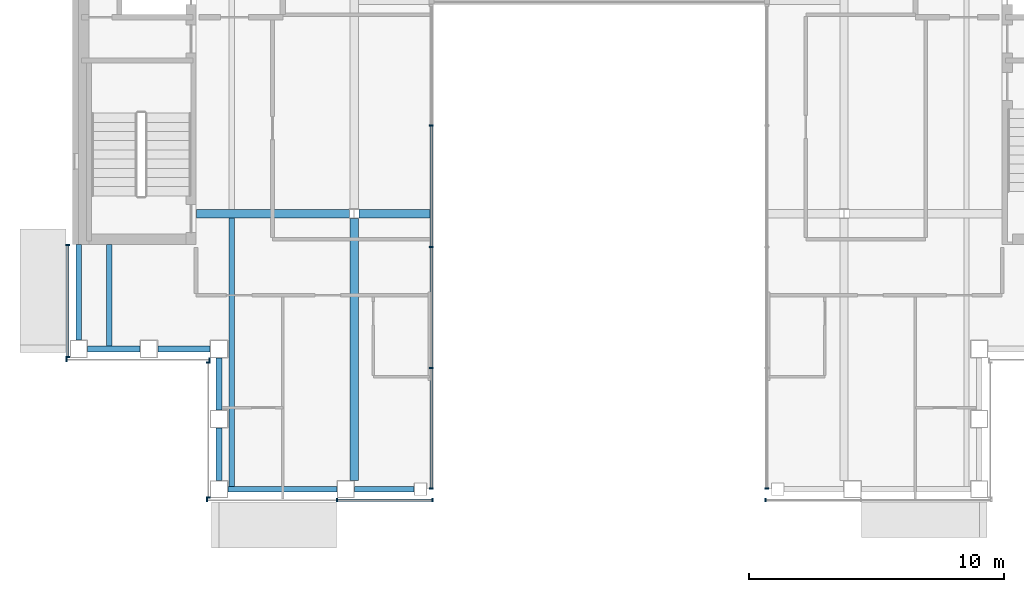
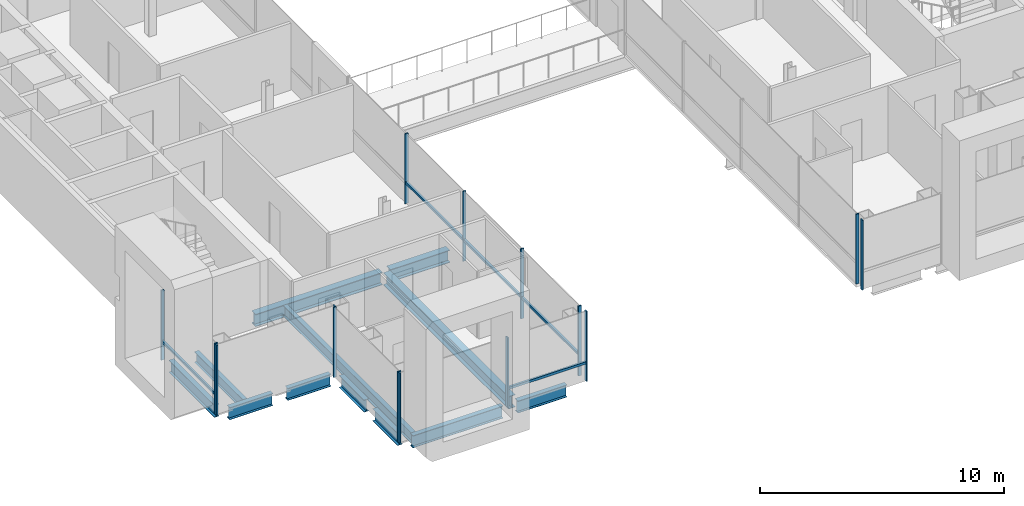
# One storey, part 3 of 17: 20 members, 12 beams, 7 elements without a shape of their own.
"""IFC4 building model written with IfcOpenShell, lengths in metres."""

import ifcopenshell
import ifcopenshell.guid

model = None  # the IFC model being written
_history = None  # IfcOwnerHistory: only IFC2X3 demands one
_inside = {}  # id of a spatial element -> (the spatial element, [elements in it])
_under = {}  # id of a project, library or spatial element -> (it, [spatial elements below it])
_declared = {}  # id of a project -> (the project, [libraries it declares])
_typed = {}  # id of a type object -> (the type object, [elements of that type])
_made_of = {}  # id of a material, layer set ... -> (it, [elements and type objects made of it])


def new_model(schema):
    """Start an empty IFC model of exactly this schema.

    Asked for "IFC4X3", IfcOpenShell would pick the latest addendum, in which some entities
    have other attributes; the version numbers below select the first issue.
    IFC2X3 requires an IfcOwnerHistory on every rooted entity: one is made here for all.
    """
    global model, _history
    if schema == "IFC4X3":
        model = ifcopenshell.file(schema_version=(4, 3, 0, 0))
    else:
        model = ifcopenshell.file(schema=schema)
    _inside.clear()
    _under.clear()
    _declared.clear()
    _typed.clear()
    _made_of.clear()
    _history = None
    if model.schema == "IFC2X3":
        org = make("IfcOrganization", Name="unknown")
        user = make(
            "IfcPersonAndOrganization",
            ThePerson=make("IfcPerson", FamilyName="unknown"),
            TheOrganization=org,
        )
        app = make(
            "IfcApplication",
            ApplicationDeveloper=org,
            Version="unknown",
            ApplicationFullName="unknown",
            ApplicationIdentifier="unknown",
        )
        _history = make(
            "IfcOwnerHistory",
            OwningUser=user,
            OwningApplication=app,
            ChangeAction="ADDED",
            CreationDate=0,
        )
    return model


def make(cls, **values):
    """One entity of the class cls with the attributes given. An attribute that is None is left unset."""
    return model.create_entity(
        cls, **{name: value for name, value in values.items() if value is not None}
    )


def rooted(cls, **values):
    """An entity with a GlobalId (a new one), such as an element, a storey or a relation."""
    return make(cls, GlobalId=ifcopenshell.guid.new(), OwnerHistory=_history, **values)


def si_unit(unit_type, name, prefix=None):
    """IfcSIUnit, for example si_unit("LENGTHUNIT", "METRE", prefix="MILLI")."""
    return make("IfcSIUnit", UnitType=unit_type, Prefix=prefix, Name=name)


def assignment(units):
    """IfcUnitAssignment: the units of a project."""
    return None if units is None else make("IfcUnitAssignment", Units=units)


def point(xyz):
    """IfcCartesianPoint."""
    return None if xyz is None else make("IfcCartesianPoint", Coordinates=xyz)


def direction(xyz):
    """IfcDirection."""
    return None if xyz is None else make("IfcDirection", DirectionRatios=xyz)


def frame(location, z_axis=None, x_axis=None):
    """IfcAxis2Placement3D, a coordinate frame: its origin and axes. An axis left out is left unset."""
    return make(
        "IfcAxis2Placement3D",
        Location=point(location),
        Axis=direction(z_axis),
        RefDirection=direction(x_axis),
    )


def frame_2d(location, x_axis=None):
    """IfcAxis2Placement2D, a coordinate frame in the plane: its origin and x axis."""
    return make(
        "IfcAxis2Placement2D", Location=point(location), RefDirection=direction(x_axis)
    )


def origin():
    """The frame at (0, 0, 0) with its axes left unset."""
    return frame((0.0, 0.0, 0.0))


def origin_2d():
    """The frame at (0, 0) in the plane with its x axis left unset."""
    return frame_2d((0.0, 0.0))


def place(relative_to, where):
    """IfcLocalPlacement: puts the frame where relative to a parent placement (None: the world)."""
    return make(
        "IfcLocalPlacement", PlacementRelTo=relative_to, RelativePlacement=where
    )


def context(
    kind, dimensions, precision=None, world=None, true_north=None, identifier=None
):
    """IfcGeometricRepresentationContext, for example the 3D "Model" context."""
    return make(
        "IfcGeometricRepresentationContext",
        ContextIdentifier=identifier,
        ContextType=kind,
        CoordinateSpaceDimension=dimensions,
        Precision=precision,
        WorldCoordinateSystem=world,
        TrueNorth=true_north,
    )


def subcontext(parent, identifier, kind, view, scale=None):
    """IfcGeometricRepresentationSubContext, for example "Body" below "Model"."""
    return make(
        "IfcGeometricRepresentationSubContext",
        ContextIdentifier=identifier,
        ContextType=kind,
        ParentContext=parent,
        TargetScale=scale,
        TargetView=view,
    )


def project(units=None, contexts=None):
    """IfcProject with its units and contexts."""
    return rooted(
        "IfcProject",
        Name="project",
        RepresentationContexts=contexts,
        UnitsInContext=assignment(units),
    )


def spatial(cls, under=None, at=None, **own):
    """A site, building, storey or space (cls), placed at a placement, below another one or the project."""
    s = rooted(cls, ObjectPlacement=at, **own)
    if under is not None:
        _under.setdefault(under.id(), (under, []))[1].append(s)
    return s


def profile(cls, at=None, kind="AREA", **sizes):
    """A parametric profile (cls). Its sizes go by their IFC names, for example OverallWidth=200.0."""
    return make(cls, ProfileType=kind, Position=at, **sizes)


def rectangle(**sizes):
    """IfcRectangleProfileDef."""
    return profile("IfcRectangleProfileDef", **sizes)


def i_section(**sizes):
    """IfcIShapeProfileDef."""
    return profile("IfcIShapeProfileDef", **sizes)


def extrude(swept, where, along, depth):
    """IfcExtrudedAreaSolid: the profile swept, set in the frame where, extruded along a direction by depth."""
    return make(
        "IfcExtrudedAreaSolid",
        SweptArea=swept,
        Position=where,
        ExtrudedDirection=direction(along),
        Depth=depth,
    )


def shape(context_of_items, identifier, shape_type, items):
    """IfcShapeRepresentation: the items that make up one representation, for example the "Body"."""
    return make(
        "IfcShapeRepresentation",
        ContextOfItems=context_of_items,
        RepresentationIdentifier=identifier,
        RepresentationType=shape_type,
        Items=items,
    )


def material(Name=None, Category=None):
    """IfcMaterial."""
    return make("IfcMaterial", Name=Name, Category=Category)


def material_profile(
    of_material, cross_section, Name=None, Category=None, Priority=None
):
    """IfcMaterialProfile: a cross section and its material."""
    return make(
        "IfcMaterialProfile",
        Name=Name,
        Material=of_material,
        Profile=cross_section,
        Priority=Priority,
        Category=Category,
    )


def profile_set(profiles, Name=None, composite=None):
    """IfcMaterialProfileSet."""
    return make(
        "IfcMaterialProfileSet",
        Name=Name,
        MaterialProfiles=profiles,
        CompositeProfile=composite,
    )


def made_of(thing, what):
    """Note that an element or type object is made of a material, layer set ...; save() writes the relation."""
    if what is not None:
        _made_of.setdefault(what.id(), (what, []))[1].append(thing)
    return thing


def type_object(cls, material=None, **own):
    """A type object (cls), such as IfcWallType, which elements share."""
    return made_of(rooted(cls, **own), material)


def element(
    cls,
    number,
    at=None,
    inside=None,
    cuts=None,
    type_object=None,
    material=None,
    context=None,
    identifier="Body",
    shape_type=None,
    held_by="IfcProductDefinitionShape",
    body=None,
    shapes=None,
    **own,
):
    """One element of the class cls, such as IfcWall. Its Tag is "e" and its number.

    at: its placement. inside: the storey or other place that contains it. cuts: it is an
    opening in that element (IfcRelVoidsElement). A single representation is given by context,
    identifier, shape_type and body (its items); several are given by shapes. held_by: the class
    of the entity that holds the representations. save() writes the other relations.
    """
    e = rooted(cls, Tag="e%d" % number, ObjectPlacement=at, **own)
    if body is not None:
        shapes = [shape(context, identifier, shape_type, body)]
    if shapes is not None:
        e.Representation = make(held_by, Representations=shapes)
    if inside is not None:
        _inside.setdefault(inside.id(), (inside, []))[1].append(e)
    if cuts is not None:
        rooted(
            "IfcRelVoidsElement", RelatingBuildingElement=cuts, RelatedOpeningElement=e
        )
    if type_object is not None:
        _typed.setdefault(type_object.id(), (type_object, []))[1].append(e)
    return made_of(e, material)


def aggregate(whole, parts):
    """IfcRelAggregates: a whole, such as a stair, and the parts it consists of."""
    return rooted("IfcRelAggregates", RelatingObject=whole, RelatedObjects=parts)


def save(model, path):
    """Write the relations noted so far, then the file.

    IfcRelAggregates (storeys below a building ...), IfcRelContainedInSpatialStructure (elements
    in a storey), IfcRelDefinesByType, IfcRelAssociatesMaterial and IfcRelDeclares: one each for
    every whole, place, type object, material and project.
    """
    for whole, parts in _under.values():
        aggregate(whole, parts)
    for where, things in _inside.values():
        rooted(
            "IfcRelContainedInSpatialStructure",
            RelatedElements=things,
            RelatingStructure=where,
        )
    for kind, things in _typed.values():
        rooted("IfcRelDefinesByType", RelatedObjects=things, RelatingType=kind)
    for what, things in _made_of.values():
        rooted("IfcRelAssociatesMaterial", RelatedObjects=things, RelatingMaterial=what)
    for by, libraries in _declared.values():
        rooted("IfcRelDeclares", RelatingContext=by, RelatedDefinitions=libraries)
    model.write(path)


model = new_model("IFC4")

# Units and contexts
model_context = context("Model", 3, precision=1e-05, world=origin(), true_north=direction((0.0, 1.0)))
body_context = subcontext(model_context, "Body", "Model", "MODEL_VIEW")
ifc_project = project(units=[si_unit("LENGTHUNIT", "METRE"), si_unit("AREAUNIT", "SQUARE_METRE"), si_unit("VOLUMEUNIT", "CUBIC_METRE"), si_unit("PLANEANGLEUNIT", "RADIAN"), si_unit("MASSUNIT", "GRAM", prefix="KILO")], contexts=[model_context])

# Site, building, storey
site_placement = place(None, origin())
site = spatial("IfcSite", under=ifc_project, at=site_placement, CompositionType="ELEMENT")
building_placement = place(site_placement, origin())
building = spatial("IfcBuilding", under=site, at=building_placement, Name="Cobrizo Arcos Hotel Tower", CompositionType="ELEMENT")
storey_placement = place(building_placement, frame((0.0, 0.0, 226.0)))
storey = spatial("IfcBuildingStorey", under=building, at=storey_placement, Name="L59", CompositionType="ELEMENT", Elevation=226.0)

# Curtain wall, members
ifc_material_1 = material(Name="Aluminium 6063-T6 anodised bronze", Category="aluminium")
curtain_wall_type_1 = type_object("IfcCurtainWallType", Name="CW-A guest facade", PredefinedType="NOTDEFINED", material=ifc_material_1)
curtain_wall_1_placement = place(storey_placement, origin())
curtain_wall_1 = element("IfcCurtainWall", 1, at=curtain_wall_1_placement, inside=storey, type_object=curtain_wall_type_1, Name="CW-A L59 S face", PredefinedType="NOTDEFINED")
ifc_material_profile_1 = material_profile(ifc_material_1, rectangle(XDim=0.14990234375, YDim=0.06005859375, at=origin_2d()), Name="CW-A mullion 150x60")
ifc_profile_set_1 = profile_set([ifc_material_profile_1], Name="Aluminium 6063-T6 anodised bronze")
member_type_1 = type_object("IfcMemberType", Name="CW-A mullion 150x60", PredefinedType="MULLION", material=ifc_profile_set_1)
member_1_placement = place(storey_placement, frame((-15.3701171875, -20.824951171875, 0.0), z_axis=(0.0, 0.0, 1.0), x_axis=(0.0, -1.0, 0.0)))
member_1 = element("IfcMember", 2, at=member_1_placement, type_object=member_type_1, Name="CW-A mullion 1", PredefinedType="MULLION", context=body_context, shape_type="SweptSolid", body=[
    extrude(rectangle(XDim=0.14990234375, YDim=0.06005859375, at=origin_2d()), origin(), (0.0, 0.0, 1.0), 3.5),
])
member_2_placement = place(storey_placement, frame((-10.2666015625, -20.824951171875, 0.0), z_axis=(0.0, 0.0, 1.0), x_axis=(0.0, -1.0, 0.0)))
member_2 = element("IfcMember", 3, at=member_2_placement, type_object=member_type_1, Name="CW-A mullion 2", PredefinedType="MULLION", context=body_context, shape_type="SweptSolid", body=[
    extrude(rectangle(XDim=0.14990234375, YDim=0.06005859375, at=origin_2d()), origin(), (0.0, 0.0, 1.0), 3.5),
])
member_3_placement = place(storey_placement, frame((-6.530029296875, -20.824951171875, 0.0), z_axis=(0.0, 0.0, 1.0), x_axis=(0.0, -1.0, 0.0)))
member_3 = element("IfcMember", 4, at=member_3_placement, type_object=member_type_1, Name="CW-A mullion 3", PredefinedType="MULLION", context=body_context, shape_type="SweptSolid", body=[
    extrude(rectangle(XDim=0.14990234375, YDim=0.06005859375, at=origin_2d()), origin(), (0.0, 0.0, 1.0), 3.5),
])

# Curtain wall, member
curtain_wall_2_placement = place(storey_placement, origin())
curtain_wall_2 = element("IfcCurtainWall", 5, at=curtain_wall_2_placement, inside=storey, type_object=curtain_wall_type_1, Name="CW-A L59 S face", PredefinedType="NOTDEFINED")
member_4_placement = place(storey_placement, frame((6.530029296875, -20.824951171875, 0.0), z_axis=(0.0, 0.0, 1.0), x_axis=(0.0, -1.0, 0.0)))
member_4 = element("IfcMember", 6, at=member_4_placement, type_object=member_type_1, Name="CW-A mullion 1", PredefinedType="MULLION", context=body_context, shape_type="SweptSolid", body=[
    extrude(rectangle(XDim=0.14990234375, YDim=0.06005859375, at=origin_2d()), origin(), (0.0, 0.0, 1.0), 3.5),
])
aggregate(curtain_wall_2, [member_4])

# Curtain wall, members
curtain_wall_3_placement = place(storey_placement, origin())
curtain_wall_3 = element("IfcCurtainWall", 7, at=curtain_wall_3_placement, inside=storey, type_object=curtain_wall_type_1, Name="CW-A L59 W face", PredefinedType="NOTDEFINED")
member_5_placement = place(storey_placement, frame((-20.824951171875, -10.830078125, 0.0), z_axis=(0.0, 0.0, 1.0), x_axis=(-1.0, 0.0, 0.0)))
member_5 = element("IfcMember", 8, at=member_5_placement, type_object=member_type_1, Name="CW-A mullion 1", PredefinedType="MULLION", context=body_context, shape_type="SweptSolid", body=[
    extrude(rectangle(XDim=0.14990234375, YDim=0.06005859375, at=origin_2d()), origin(), (0.0, 0.0, 1.0), 3.5),
])
member_6_placement = place(storey_placement, frame((-20.824951171875, -15.219970703125, 0.0), z_axis=(0.0, 0.0, 1.0), x_axis=(-1.0, 0.0, 0.0)))
member_6 = element("IfcMember", 9, at=member_6_placement, type_object=member_type_1, Name="CW-A mullion 2", PredefinedType="MULLION", context=body_context, shape_type="SweptSolid", body=[
    extrude(rectangle(XDim=0.14990234375, YDim=0.06005859375, at=origin_2d()), origin(), (0.0, 0.0, 1.0), 3.5),
])

curtain_wall_4_placement = place(storey_placement, origin())
curtain_wall_4 = element("IfcCurtainWall", 10, at=curtain_wall_4_placement, inside=storey, type_object=curtain_wall_type_1, Name="CW-A L59 S face", PredefinedType="NOTDEFINED")
member_7_placement = place(storey_placement, frame((-20.8701171875, -15.324951171875, 0.0), z_axis=(0.0, 0.0, 1.0), x_axis=(0.0, -1.0, 0.0)))
member_7 = element("IfcMember", 11, at=member_7_placement, type_object=member_type_1, Name="CW-A mullion 1", PredefinedType="MULLION", context=body_context, shape_type="SweptSolid", body=[
    extrude(rectangle(XDim=0.14990234375, YDim=0.06005859375, at=origin_2d()), origin(), (0.0, 0.0, 1.0), 3.5),
])
member_8_placement = place(storey_placement, frame((-15.280029296875, -15.324951171875, 0.0), z_axis=(0.0, 0.0, 1.0), x_axis=(0.0, -1.0, 0.0)))
member_8 = element("IfcMember", 12, at=member_8_placement, type_object=member_type_1, Name="CW-A mullion 2", PredefinedType="MULLION", context=body_context, shape_type="SweptSolid", body=[
    extrude(rectangle(XDim=0.14990234375, YDim=0.06005859375, at=origin_2d()), origin(), (0.0, 0.0, 1.0), 3.5),
])
aggregate(curtain_wall_4, [member_7, member_8])

curtain_wall_5_placement = place(storey_placement, origin())
curtain_wall_5 = element("IfcCurtainWall", 13, at=curtain_wall_5_placement, inside=storey, type_object=curtain_wall_type_1, Name="CW-A L59 W face", PredefinedType="NOTDEFINED")
member_9_placement = place(storey_placement, frame((-15.324951171875, -15.429931640625, 0.0), z_axis=(0.0, 0.0, 1.0), x_axis=(-1.0, 0.0, 0.0)))
member_9 = element("IfcMember", 14, at=member_9_placement, type_object=member_type_1, Name="CW-A mullion 1", PredefinedType="MULLION", context=body_context, shape_type="SweptSolid", body=[
    extrude(rectangle(XDim=0.14990234375, YDim=0.06005859375, at=origin_2d()), origin(), (0.0, 0.0, 1.0), 3.5),
])
member_10_placement = place(storey_placement, frame((-15.324951171875, -20.719970703125, 0.0), z_axis=(0.0, 0.0, 1.0), x_axis=(-1.0, 0.0, 0.0)))
member_10 = element("IfcMember", 15, at=member_10_placement, type_object=member_type_1, Name="CW-A mullion 2", PredefinedType="MULLION", context=body_context, shape_type="SweptSolid", body=[
    extrude(rectangle(XDim=0.14990234375, YDim=0.06005859375, at=origin_2d()), origin(), (0.0, 0.0, 1.0), 3.5),
])
aggregate(curtain_wall_5, [member_9, member_10])

# Member
ifc_material_profile_2 = material_profile(ifc_material_1, rectangle(XDim=0.10009765625, YDim=0.1201171875, at=origin_2d()), Name="CW-A transom 120x100")
ifc_profile_set_2 = profile_set([ifc_material_profile_2], Name="Aluminium 6063-T6 anodised bronze")
member_type_2 = type_object("IfcMemberType", Name="CW-A transom 120x100", PredefinedType="USERDEFINED", material=ifc_profile_set_2)
member_11_placement = place(storey_placement, frame((-10.236572265625, -20.824951171875, 0.929931640625), z_axis=(1.0, 0.0, 0.0), x_axis=(0.0, 1.0, 0.0)))
member_11 = element("IfcMember", 16, at=member_11_placement, type_object=member_type_2, Name="CW-A transom 1929", ObjectType="TRANSOM", PredefinedType="USERDEFINED", context=body_context, shape_type="SweptSolid", body=[
    extrude(rectangle(XDim=0.10009765625, YDim=0.1201171875, at=origin_2d()), origin(), (0.0, 0.0, 1.0), 3.676513671875),
])

aggregate(curtain_wall_1, [member_1, member_2, member_3, member_11])

member_12_placement = place(storey_placement, frame((-20.824951171875, -10.860107421875, 0.929931640625), z_axis=(0.0, -1.0, 0.0), x_axis=(1.0, 0.0, 0.0)))
member_12 = element("IfcMember", 17, at=member_12_placement, type_object=member_type_2, Name="CW-A transom 1945", ObjectType="TRANSOM", PredefinedType="USERDEFINED", context=body_context, shape_type="SweptSolid", body=[
    extrude(rectangle(XDim=0.10009765625, YDim=0.1201171875, at=origin_2d()), origin(), (0.0, 0.0, 1.0), 4.329833984375),
])

aggregate(curtain_wall_3, [member_5, member_6, member_12])

# Curtain wall, member
curtain_wall_type_2 = type_object("IfcCurtainWallType", Name="CW-F void screen", PredefinedType="NOTDEFINED", material=ifc_material_1)
curtain_wall_6_placement = place(storey_placement, origin())
curtain_wall_6 = element("IfcCurtainWall", 18, at=curtain_wall_6_placement, inside=storey, type_object=curtain_wall_type_2, Name="CW-F L59 void screen C", PredefinedType="NOTDEFINED")
ifc_material_profile_3 = material_profile(ifc_material_1, rectangle(XDim=0.14990234375, YDim=0.06005859375, at=origin_2d()), Name="CW-F mullion 150x60")
ifc_profile_set_3 = profile_set([ifc_material_profile_3], Name="Aluminium 6063-T6 anodised bronze")
member_type_3 = type_object("IfcMemberType", Name="CW-F mullion 150x60", PredefinedType="MULLION", material=ifc_profile_set_3)
member_13_placement = place(storey_placement, frame((6.574951171875, -20.3701171875, 0.0), z_axis=(0.0, 0.0, 1.0), x_axis=(1.0, 0.0, 0.0)))
member_13 = element("IfcMember", 19, at=member_13_placement, type_object=member_type_3, Name="CW-F mullion 1", PredefinedType="MULLION", context=body_context, shape_type="SweptSolid", body=[
    extrude(rectangle(XDim=0.14990234375, YDim=0.06005859375, at=origin_2d()), origin(), (0.0, 0.0, 1.0), 3.5),
])
aggregate(curtain_wall_6, [member_13])

# Curtain wall, members
curtain_wall_7_placement = place(storey_placement, origin())
curtain_wall_7 = element("IfcCurtainWall", 20, at=curtain_wall_7_placement, inside=storey, type_object=curtain_wall_type_2, Name="CW-F L59 void screen C", PredefinedType="NOTDEFINED")
member_14_placement = place(storey_placement, frame((-6.574951171875, -6.14990234375, 0.0), z_axis=(0.0, 0.0, 1.0), x_axis=(-1.0, 0.0, 0.0)))
member_14 = element("IfcMember", 21, at=member_14_placement, type_object=member_type_3, Name="CW-F mullion 2", PredefinedType="MULLION", context=body_context, shape_type="SweptSolid", body=[
    extrude(rectangle(XDim=0.14990234375, YDim=0.06005859375, at=origin_2d()), origin(), (0.0, 0.0, 1.0), 3.5),
])
member_15_placement = place(storey_placement, frame((-6.574951171875, -10.89990234375, 0.0), z_axis=(0.0, 0.0, 1.0), x_axis=(-1.0, 0.0, 0.0)))
member_15 = element("IfcMember", 22, at=member_15_placement, type_object=member_type_3, Name="CW-F mullion 3", PredefinedType="MULLION", context=body_context, shape_type="SweptSolid", body=[
    extrude(rectangle(XDim=0.14990234375, YDim=0.06005859375, at=origin_2d()), origin(), (0.0, 0.0, 1.0), 3.5),
])
member_16_placement = place(storey_placement, frame((-6.574951171875, -15.64990234375, 0.0), z_axis=(0.0, 0.0, 1.0), x_axis=(-1.0, 0.0, 0.0)))
member_16 = element("IfcMember", 23, at=member_16_placement, type_object=member_type_3, Name="CW-F mullion 4", PredefinedType="MULLION", context=body_context, shape_type="SweptSolid", body=[
    extrude(rectangle(XDim=0.14990234375, YDim=0.06005859375, at=origin_2d()), origin(), (0.0, 0.0, 1.0), 3.5),
])
member_17_placement = place(storey_placement, frame((-6.574951171875, -20.3701171875, 0.0), z_axis=(0.0, 0.0, 1.0), x_axis=(-1.0, 0.0, 0.0)))
member_17 = element("IfcMember", 24, at=member_17_placement, type_object=member_type_3, Name="CW-F mullion 5", PredefinedType="MULLION", context=body_context, shape_type="SweptSolid", body=[
    extrude(rectangle(XDim=0.14990234375, YDim=0.06005859375, at=origin_2d()), origin(), (0.0, 0.0, 1.0), 3.5),
])
ifc_material_profile_4 = material_profile(ifc_material_1, rectangle(XDim=0.10009765625, YDim=0.1201171875, at=origin_2d()), Name="CW-F transom 120x100")
ifc_profile_set_4 = profile_set([ifc_material_profile_4], Name="Aluminium 6063-T6 anodised bronze")
member_type_4 = type_object("IfcMemberType", Name="CW-F transom 120x100", PredefinedType="USERDEFINED", material=ifc_profile_set_4)
member_18_placement = place(storey_placement, frame((-6.574951171875, -6.179931640625, 1.050048828125), z_axis=(0.0, -1.0, 0.0), x_axis=(1.0, 0.0, 0.0)))
member_18 = element("IfcMember", 25, at=member_18_placement, type_object=member_type_4, Name="CW-F transom 2729", ObjectType="TRANSOM", PredefinedType="USERDEFINED", context=body_context, shape_type="SweptSolid", body=[
    extrude(rectangle(XDim=0.10009765625, YDim=0.1201171875, at=origin_2d()), origin(), (0.0, 0.0, 1.0), 4.690185546875),
])
member_19_placement = place(storey_placement, frame((-6.574951171875, -10.929931640625, 1.050048828125), z_axis=(0.0, -1.0, 0.0), x_axis=(1.0, 0.0, 0.0)))
member_19 = element("IfcMember", 26, at=member_19_placement, type_object=member_type_4, Name="CW-F transom 2730", ObjectType="TRANSOM", PredefinedType="USERDEFINED", context=body_context, shape_type="SweptSolid", body=[
    extrude(rectangle(XDim=0.10009765625, YDim=0.1201171875, at=origin_2d()), origin(), (0.0, 0.0, 1.0), 4.690185546875),
])
member_20_placement = place(storey_placement, frame((-6.574951171875, -15.679931640625, 1.050048828125), z_axis=(0.0, -1.0, 0.0), x_axis=(1.0, 0.0, 0.0)))
member_20 = element("IfcMember", 27, at=member_20_placement, type_object=member_type_4, Name="CW-F transom 2731", ObjectType="TRANSOM", PredefinedType="USERDEFINED", context=body_context, shape_type="SweptSolid", body=[
    extrude(rectangle(XDim=0.10009765625, YDim=0.1201171875, at=origin_2d()), origin(), (0.0, 0.0, 1.0), 4.66015625),
])
aggregate(curtain_wall_7, [member_14, member_15, member_16, member_17, member_18, member_19, member_20])

# Beams
ifc_material_2 = material(Name="Steel ASTM A992 Grade 50", Category="steel")
ifc_material_profile_5 = material_profile(ifc_material_2, i_section(OverallWidth=0.209228515625, OverallDepth=0.533447265625, WebThickness=0.01025390625, FlangeThickness=0.015625, at=origin_2d()), Name="W21X62")
ifc_profile_set_5 = profile_set([ifc_material_profile_5], Name="Steel ASTM A992 Grade 50")
beam_type_1 = type_object("IfcBeamType", Name="W21X62 joist", PredefinedType="JOIST", material=ifc_profile_set_5)
beam_1_placement = place(storey_placement, frame((-19.199951171875, -14.81005859375, -0.416748046875), z_axis=(0.0, 1.0, 0.0), x_axis=(-1.0, 0.0, 0.0)))
element("IfcBeam", 28, at=beam_1_placement, inside=storey, type_object=beam_type_1, Name="Floor joist J1, L59, no. 001", PredefinedType="JOIST", context=body_context, shape_type="SweptSolid", body=[
    extrude(i_section(OverallWidth=0.209228515625, OverallDepth=0.533447265625, WebThickness=0.01025390625, FlangeThickness=0.015625, at=origin_2d()), origin(), (0.0, 0.0, 1.0), 4.0),
])
beam_2_placement = place(storey_placement, frame((-14.39990234375, -20.31005859375, -0.416748046875), z_axis=(0.0, 1.0, 0.0), x_axis=(-1.0, 0.0, 0.0)))
element("IfcBeam", 29, at=beam_2_placement, inside=storey, type_object=beam_type_1, Name="Floor joist J1, L59, no. 003", PredefinedType="JOIST", context=body_context, shape_type="SweptSolid", body=[
    extrude(i_section(OverallWidth=0.209228515625, OverallDepth=0.533447265625, WebThickness=0.01025390625, FlangeThickness=0.015625, at=origin_2d()), origin(), (0.0, 0.0, 1.0), 10.546142578125),
])
ifc_material_profile_6 = material_profile(ifc_material_2, i_section(OverallWidth=0.32763671875, OverallDepth=0.622314453125, WebThickness=0.015380859375, FlangeThickness=0.0244140625, at=origin_2d()), Name="W24X131")
ifc_profile_set_6 = profile_set([ifc_material_profile_6], Name="Steel ASTM A992 Grade 50")
beam_type_2 = type_object("IfcBeamType", Name="W24X131 girder", PredefinedType="BEAM", material=ifc_profile_set_6)
beam_3_placement = place(storey_placement, frame((-15.7900390625, -9.60009765625, -0.461181640625), z_axis=(1.0, 0.0, 0.0), x_axis=(0.0, 1.0, 0.0)))
element("IfcBeam", 30, at=beam_3_placement, inside=storey, type_object=beam_type_2, Name="Floor girder G1, L59, no. 001", PredefinedType="BEAM", context=body_context, shape_type="SweptSolid", body=[
    extrude(i_section(OverallWidth=0.32763671875, OverallDepth=0.622314453125, WebThickness=0.015380859375, FlangeThickness=0.0244140625, at=origin_2d()), origin(), (0.0, 0.0, 1.0), 6.00341796875),
])
beam_4_placement = place(storey_placement, frame((-9.413330078125, -9.60009765625, -0.461181640625), z_axis=(1.0, 0.0, 0.0), x_axis=(0.0, 1.0, 0.0)))
element("IfcBeam", 31, at=beam_4_placement, inside=storey, type_object=beam_type_2, Name="Floor girder G1, L59, no. 002", PredefinedType="BEAM", context=body_context, shape_type="SweptSolid", body=[
    extrude(i_section(OverallWidth=0.32763671875, OverallDepth=0.622314453125, WebThickness=0.015380859375, FlangeThickness=0.0244140625, at=origin_2d()), origin(), (0.0, 0.0, 1.0), 2.8232421875),
])
beam_5_placement = place(storey_placement, frame((-9.60009765625, -20.050048828125, -0.461181640625), z_axis=(0.0, 1.0, 0.0), x_axis=(-1.0, 0.0, 0.0)))
element("IfcBeam", 32, at=beam_5_placement, inside=storey, type_object=beam_type_2, Name="Floor girder G1, L59, no. 012", PredefinedType="BEAM", context=body_context, shape_type="SweptSolid", body=[
    extrude(i_section(OverallWidth=0.32763671875, OverallDepth=0.622314453125, WebThickness=0.015380859375, FlangeThickness=0.0244140625, at=origin_2d()), origin(), (0.0, 0.0, 1.0), 10.263427734375),
])
ifc_material_profile_7 = material_profile(ifc_material_2, i_section(OverallWidth=0.228271484375, OverallDepth=0.607177734375, WebThickness=0.01123046875, FlangeThickness=0.017333984375, at=origin_2d()), Name="W24X76")
ifc_profile_set_7 = profile_set([ifc_material_profile_7], Name="Steel ASTM A992 Grade 50")
beam_type_3 = type_object("IfcBeamType", Name="W24X76 spandrel", PredefinedType="SPANDREL", material=ifc_profile_set_7)
beam_6_placement = place(storey_placement, frame((-7.25, -20.39990234375, -0.45361328125), z_axis=(-1.0, 0.0, 0.0), x_axis=(0.0, -1.0, 0.0)))
element("IfcBeam", 33, at=beam_6_placement, inside=storey, type_object=beam_type_3, Name="Spandrel beam W24X76, L59, no. 011", PredefinedType="SPANDREL", context=body_context, shape_type="SweptSolid", body=[
    extrude(i_section(OverallWidth=0.228271484375, OverallDepth=0.607177734375, WebThickness=0.01123046875, FlangeThickness=0.017333984375, at=origin_2d()), origin(), (0.0, 0.0, 1.0), 2.3330078125),
])
beam_7_placement = place(storey_placement, frame((-10.282958984375, -20.39990234375, -0.45361328125), z_axis=(-1.0, 0.0, 0.0), x_axis=(0.0, -1.0, 0.0)))
element("IfcBeam", 34, at=beam_7_placement, inside=storey, type_object=beam_type_3, Name="Spandrel beam W24X76, L59, no. 012", PredefinedType="SPANDREL", context=body_context, shape_type="SweptSolid", body=[
    extrude(i_section(OverallWidth=0.228271484375, OverallDepth=0.607177734375, WebThickness=0.01123046875, FlangeThickness=0.017333984375, at=origin_2d()), origin(), (0.0, 0.0, 1.0), 4.26708984375),
])
for number, where, z_axis, x_axis, name in (
    (35, (-14.89990234375, -20.050048828125, -0.45361328125), (0.0, 1.0, 0.0), (-1.0, 0.0, 0.0), "Spandrel beam W24X76, L59, no. 013"),
    (36, (-14.89990234375, -17.300048828125, -0.45361328125), (0.0, 1.0, 0.0), (-1.0, 0.0, 0.0), "Spandrel beam W24X76, L59, no. 014"),
    (37, (-15.25, -14.89990234375, -0.45361328125), (-1.0, 0.0, 0.0), (0.0, -1.0, 0.0), "Spandrel beam W24X76, L59, no. 015"),
    (38, (-18.0, -14.89990234375, -0.45361328125), (-1.0, 0.0, 0.0), (0.0, -1.0, 0.0), "Spandrel beam W24X76, L59, no. 016"),
):
    element("IfcBeam", number, at=place(storey_placement, frame(where, z_axis=z_axis, x_axis=x_axis)), inside=storey, type_object=beam_type_3, Name=name, PredefinedType="SPANDREL", context=body_context, shape_type="SweptSolid", body=[
        extrude(i_section(OverallWidth=0.228271484375, OverallDepth=0.607177734375, WebThickness=0.01123046875, FlangeThickness=0.017333984375, at=origin_2d()), origin(), (0.0, 0.0, 1.0), 2.050048828125),
    ])
beam_8_placement = place(storey_placement, frame((-20.39990234375, -14.550048828125, -0.45361328125), z_axis=(0.0, 1.0, 0.0), x_axis=(-1.0, 0.0, 0.0)))
element("IfcBeam", 39, at=beam_8_placement, inside=storey, type_object=beam_type_3, Name="Spandrel beam W24X76, L59, no. 017", PredefinedType="SPANDREL", context=body_context, shape_type="SweptSolid", body=[
    extrude(i_section(OverallWidth=0.228271484375, OverallDepth=0.607177734375, WebThickness=0.01123046875, FlangeThickness=0.017333984375, at=origin_2d()), origin(), (0.0, 0.0, 1.0), 3.739990234375),
])

save(model, "model.ifc")
